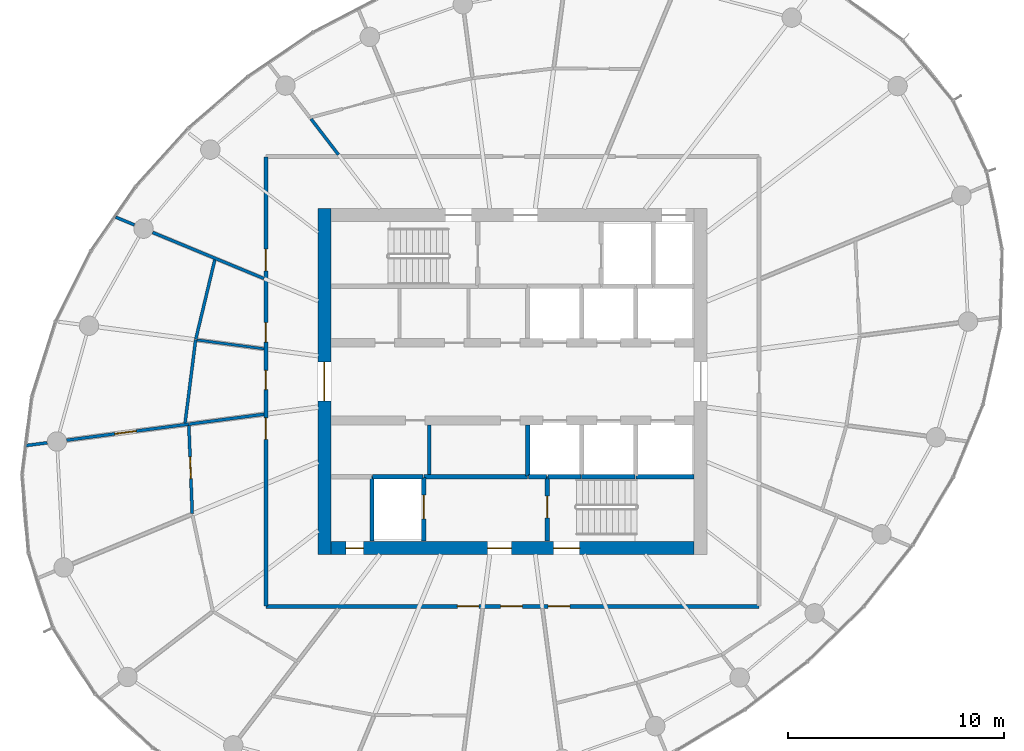
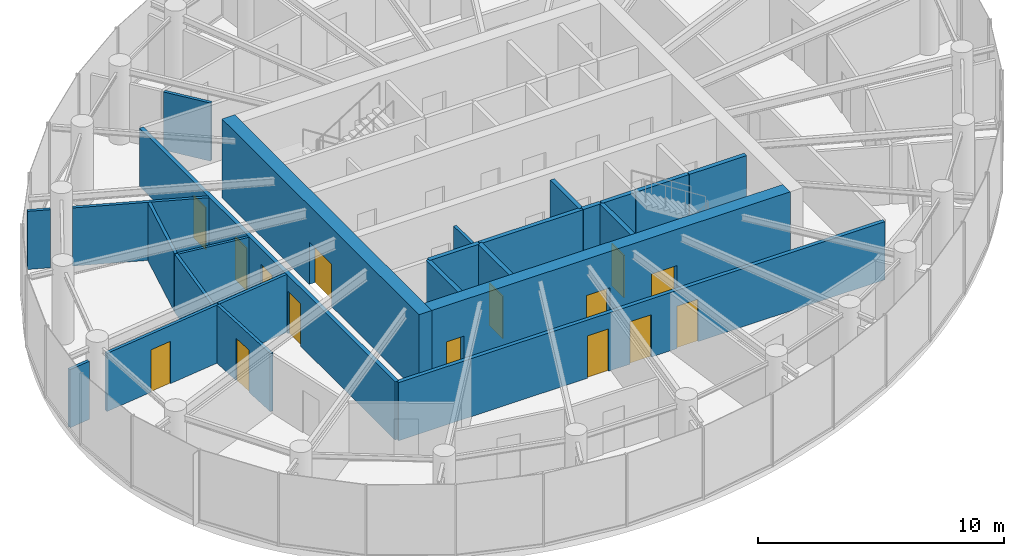
# One storey, part 10 of 15: 25 walls, 15 doors, 15 openings.
"""IFC4 building model written with IfcOpenShell, lengths in metres."""

from ifc_helpers import new_model, si_unit, direction, frame, frame_2d, origin, place, context, subcontext, project, spatial, rectangle, extrude, source, transform, mapped, material, layer, layer_set, type_object, element, fill, save


model = new_model("IFC4")

# Units and contexts
model_context = context("Model", 3, precision=1e-05, world=origin(), true_north=direction((0.0, 1.0)))
body_context = subcontext(model_context, "Body", "Model", "MODEL_VIEW")
ifc_project = project(units=[si_unit("LENGTHUNIT", "METRE"), si_unit("AREAUNIT", "SQUARE_METRE"), si_unit("VOLUMEUNIT", "CUBIC_METRE"), si_unit("PLANEANGLEUNIT", "RADIAN"), si_unit("MASSUNIT", "GRAM", prefix="KILO")], contexts=[model_context])

# Site, building, storey
site_placement = place(None, origin())
site = spatial("IfcSite", under=ifc_project, at=site_placement, CompositionType="ELEMENT")
building_placement = place(site_placement, origin())
building = spatial("IfcBuilding", under=site, at=building_placement, Name="Spindrift Exchange Tower", CompositionType="ELEMENT")
storey_placement = place(building_placement, frame((0.0, 0.0, 195.5)))
storey = spatial("IfcBuildingStorey", under=building, at=storey_placement, Name="L47", CompositionType="ELEMENT", Elevation=195.5)

# Wall, opening, door
ifc_material_1 = material(Name="Concrete 50 MPa", Category="concrete")
ifc_layer_1 = layer(ifc_material_1, 0.60009765625)
ifc_layer_set_1 = layer_set([ifc_layer_1], Name="RC Core Wall 600 Concrete 50 MPa")
wall_type_1 = type_object("IfcWallType", Name="RC Core Wall 600 Concrete 50 MPa", PredefinedType="SHEAR", material=ifc_layer_set_1)
wall_1_placement = place(storey_placement, frame((43.300048828125, 56.0, 0.0), z_axis=(0.0, 0.0, 1.0), x_axis=(0.0, -1.0, 0.0)))
wall_1 = element("IfcWall", 1, at=wall_1_placement, inside=storey, type_object=wall_type_1, Name="Core wall W L47", PredefinedType="SHEAR", context=body_context, shape_type="SweptSolid", body=[
    extrude(rectangle(XDim=16.0, YDim=0.60009765625, at=frame_2d((8.0, 0.0))), origin(), (0.0, 0.0, 1.0), 3.89990234375),
])
opening_1_placement = place(wall_1_placement, frame((7.10009765625, 0.0, 0.0)))
opening_1 = element("IfcOpeningElement", 2, at=opening_1_placement, cuts=wall_1, Name="Opening L47-D1", PredefinedType="OPENING", context=body_context, shape_type="SweptSolid", body=[
    extrude(rectangle(XDim=1.800048828125, YDim=2.10009765625, at=frame_2d((0.89990234375, 1.050048828125))), frame((0.0, 0.31005859375, 0.0), z_axis=(0.0, -1.0, 0.0), x_axis=(1.0, 0.0, 0.0)), (0.0, 0.0, 1.0), 0.6201171875),
])
ifc_material_2 = material(Name="Timber-core fire door", Category="wood")
door_type_1 = type_object("IfcDoorType", Name="DR-LOBBY-1800", OperationType="NOTDEFINED", PredefinedType="DOOR", material=ifc_material_2)
shared_shape_1 = source(origin(), body_context, "Body", "SweptSolid", [
    extrude(rectangle(XDim=1.800048828125, YDim=2.10009765625, at=frame_2d((0.89990234375, 1.050048828125))), frame((0.0, 0.02490234375, 0.0), z_axis=(0.0, -1.0, 0.0), x_axis=(1.0, 0.0, 0.0)), (0.0, 0.0, 1.0), 0.050048828125),
])
door_1_placement = place(opening_1_placement, origin())
door_1 = element("IfcDoor", 3, at=door_1_placement, inside=storey, type_object=door_type_1, Name="L47 Lobby door 1", OperationType="SINGLE_SWING_LEFT", OverallHeight=2.10009765625, OverallWidth=1.800048828125, PredefinedType="DOOR", context=body_context, shape_type="MappedRepresentation", body=[
    mapped(shared_shape_1, transform((0.0, 0.0, 0.0), scale=1.0)),
])
fill(opening_1, door_1)

# Wall, openings, doors
wall_2_placement = place(storey_placement, frame((43.60009765625, 40.300048828125, 0.0), z_axis=(0.0, 0.0, 1.0), x_axis=(1.0, 0.0, 0.0)))
wall_2 = element("IfcWall", 4, at=wall_2_placement, inside=storey, type_object=wall_type_1, Name="Core wall S L47", PredefinedType="SHEAR", context=body_context, shape_type="SweptSolid", body=[
    extrude(rectangle(XDim=16.7998046875, YDim=0.60009765625, at=frame_2d((8.39990234375, 0.0))), origin(), (0.0, 0.0, 1.0), 3.89990234375),
])
opening_2_placement = place(wall_2_placement, frame((10.300048828125, 0.0, 0.0)))
opening_2 = element("IfcOpeningElement", 5, at=opening_2_placement, cuts=wall_2, Name="Opening L47-D15", PredefinedType="OPENING", context=body_context, shape_type="SweptSolid", body=[
    extrude(rectangle(XDim=1.199951171875, YDim=2.10009765625, at=frame_2d((0.60009765625, 1.050048828125))), frame((0.0, 0.31005859375, 0.0), z_axis=(0.0, -1.0, 0.0), x_axis=(1.0, 0.0, 0.0)), (0.0, 0.0, 1.0), 0.6201171875),
])
opening_3_placement = place(wall_2_placement, frame((7.25, 0.0, 0.0)))
opening_3 = element("IfcOpeningElement", 6, at=opening_3_placement, cuts=wall_2, Name="Opening L47-D17", PredefinedType="OPENING", context=body_context, shape_type="SweptSolid", body=[
    extrude(rectangle(XDim=1.10009765625, YDim=2.10009765625, at=frame_2d((0.550048828125, 1.050048828125))), frame((0.0, 0.31005859375, 0.0), z_axis=(0.0, -1.0, 0.0), x_axis=(1.0, 0.0, 0.0)), (0.0, 0.0, 1.0), 0.6201171875),
])
opening_4_placement = place(wall_2_placement, frame((0.699951171875, 0.0, 0.0)))
opening_4 = element("IfcOpeningElement", 7, at=opening_4_placement, cuts=wall_2, Name="Opening L47-D18", PredefinedType="OPENING", context=body_context, shape_type="SweptSolid", body=[
    extrude(rectangle(XDim=0.800048828125, YDim=2.10009765625, at=frame_2d((0.39990234375, 1.050048828125))), frame((0.0, 0.31005859375, 0.0), z_axis=(0.0, -1.0, 0.0), x_axis=(1.0, 0.0, 0.0)), (0.0, 0.0, 1.0), 0.6201171875),
])
ifc_material_3 = material(Name="Steel fire door", Category="steel")
door_type_2 = type_object("IfcDoorType", Name="DR-STAIR-1200", OperationType="NOTDEFINED", PredefinedType="DOOR", material=ifc_material_3)
shared_shape_2 = source(origin(), body_context, "Body", "SweptSolid", [
    extrude(rectangle(XDim=1.199951171875, YDim=2.10009765625, at=frame_2d((0.60009765625, 1.050048828125))), frame((0.0, 0.02490234375, 0.0), z_axis=(0.0, -1.0, 0.0), x_axis=(1.0, 0.0, 0.0)), (0.0, 0.0, 1.0), 0.050048828125),
])
door_2_placement = place(opening_2_placement, origin())
door_2 = element("IfcDoor", 8, at=door_2_placement, inside=storey, type_object=door_type_2, Name="L47 Stair door 15", OperationType="SINGLE_SWING_RIGHT", OverallHeight=2.10009765625, OverallWidth=1.199951171875, PredefinedType="DOOR", context=body_context, shape_type="MappedRepresentation", body=[
    mapped(shared_shape_2, transform((0.0, 0.0, 0.0), scale=1.0)),
])
fill(opening_2, door_2)
door_type_3 = type_object("IfcDoorType", Name="DR-LOBBY-1100", OperationType="NOTDEFINED", PredefinedType="DOOR", material=ifc_material_2)
shared_shape_3 = source(origin(), body_context, "Body", "SweptSolid", [
    extrude(rectangle(XDim=1.10009765625, YDim=2.10009765625, at=frame_2d((0.550048828125, 1.050048828125))), frame((0.0, 0.02490234375, 0.0), z_axis=(0.0, -1.0, 0.0), x_axis=(1.0, 0.0, 0.0)), (0.0, 0.0, 1.0), 0.050048828125),
])
door_3_placement = place(opening_3_placement, origin())
door_3 = element("IfcDoor", 9, at=door_3_placement, inside=storey, type_object=door_type_3, Name="L47 Lobby door 17", OperationType="SINGLE_SWING_RIGHT", OverallHeight=2.10009765625, OverallWidth=1.10009765625, PredefinedType="DOOR", context=body_context, shape_type="MappedRepresentation", body=[
    mapped(shared_shape_3, transform((0.0, 0.0, 0.0), scale=1.0)),
])
fill(opening_3, door_3)
ifc_material_4 = material(Name="Steel access door", Category="steel")
door_type_4 = type_object("IfcDoorType", Name="DR-RISER-800", OperationType="NOTDEFINED", PredefinedType="DOOR", material=ifc_material_4)
shared_shape_4 = source(origin(), body_context, "Body", "SweptSolid", [
    extrude(rectangle(XDim=0.800048828125, YDim=2.10009765625, at=frame_2d((0.39990234375, 1.050048828125))), frame((0.0, 0.02490234375, 0.0), z_axis=(0.0, -1.0, 0.0), x_axis=(1.0, 0.0, 0.0)), (0.0, 0.0, 1.0), 0.050048828125),
])
door_4_placement = place(opening_4_placement, origin())
door_4 = element("IfcDoor", 10, at=door_4_placement, inside=storey, type_object=door_type_4, Name="L47 Riser door 18", OperationType="SINGLE_SWING_LEFT", OverallHeight=2.10009765625, OverallWidth=0.800048828125, PredefinedType="DOOR", context=body_context, shape_type="MappedRepresentation", body=[
    mapped(shared_shape_4, transform((0.0, 0.0, 0.0), scale=1.0)),
])
fill(opening_4, door_4)

ifc_material_5 = material(Name="Fire-rated plasterboard partition", Category="gypsum")
ifc_layer_2 = layer(ifc_material_5, 0.179931640625)
ifc_layer_set_2 = layer_set([ifc_layer_2], Name="W-CORR-180")
wall_type_2 = type_object("IfcWallType", Name="W-CORR-180", PredefinedType="PARTITIONING", material=ifc_layer_set_2)
wall_3_placement = place(storey_placement, frame((63.39990234375, 37.60009765625, 0.0), z_axis=(0.0, 0.0, 1.0), x_axis=(-1.0, 0.0, 0.0)))
wall_3 = element("IfcWall", 11, at=wall_3_placement, inside=storey, type_object=wall_type_2, Name="L47 Partition wall 28", PredefinedType="PARTITIONING", context=body_context, shape_type="SweptSolid", body=[
    extrude(rectangle(XDim=22.7998046875, YDim=0.179931640625, at=frame_2d((11.39990234375, 0.0))), origin(), (0.0, 0.0, 1.0), 2.8798828125),
])
opening_5_placement = place(wall_3_placement, frame((12.949951171875, 0.0, 0.0)))
opening_5 = element("IfcOpeningElement", 12, at=opening_5_placement, cuts=wall_3, Name="Opening L47-D26", PredefinedType="OPENING", context=body_context, shape_type="SweptSolid", body=[
    extrude(rectangle(XDim=1.0, YDim=2.10009765625, at=frame_2d((0.5, 1.050048828125))), frame((0.0, 0.099853515625, 0.0), z_axis=(0.0, -1.0, 0.0), x_axis=(1.0, 0.0, 0.0)), (0.0, 0.0, 1.0), 0.199951171875),
])
opening_6_placement = place(wall_3_placement, frame((10.949951171875, 0.0, 0.0)))
opening_6 = element("IfcOpeningElement", 13, at=opening_6_placement, cuts=wall_3, Name="Opening L47-D29", PredefinedType="OPENING", context=body_context, shape_type="SweptSolid", body=[
    extrude(rectangle(XDim=1.0, YDim=2.10009765625, at=frame_2d((0.5, 1.050048828125))), frame((0.0, 0.099853515625, 0.0), z_axis=(0.0, -1.0, 0.0), x_axis=(1.0, 0.0, 0.0)), (0.0, 0.0, 1.0), 0.199951171875),
])
opening_7_placement = place(wall_3_placement, frame((8.75, 0.0, 0.0)))
opening_7 = element("IfcOpeningElement", 14, at=opening_7_placement, cuts=wall_3, Name="Opening L47-D30", PredefinedType="OPENING", context=body_context, shape_type="SweptSolid", body=[
    extrude(rectangle(XDim=1.0, YDim=2.10009765625, at=frame_2d((0.5, 1.050048828125))), frame((0.0, 0.099853515625, 0.0), z_axis=(0.0, -1.0, 0.0), x_axis=(1.0, 0.0, 0.0)), (0.0, 0.0, 1.0), 0.199951171875),
])
door_type_5 = type_object("IfcDoorType", Name="DR-ROOM-1000", OperationType="NOTDEFINED", PredefinedType="DOOR", material=ifc_material_2)
shared_shape_5 = source(origin(), body_context, "Body", "SweptSolid", [
    extrude(rectangle(XDim=1.0, YDim=2.10009765625, at=frame_2d((0.5, 1.050048828125))), frame((0.0, 0.02490234375, 0.0), z_axis=(0.0, -1.0, 0.0), x_axis=(1.0, 0.0, 0.0)), (0.0, 0.0, 1.0), 0.050048828125),
])
door_5_placement = place(opening_5_placement, origin())
door_5 = element("IfcDoor", 15, at=door_5_placement, inside=storey, type_object=door_type_5, Name="L47 Door 26", OperationType="SINGLE_SWING_LEFT", OverallHeight=2.10009765625, OverallWidth=1.0, PredefinedType="DOOR", context=body_context, shape_type="MappedRepresentation", body=[
    mapped(shared_shape_5, transform((0.0, 0.0, 0.0), scale=1.0)),
])
fill(opening_5, door_5)
door_6_placement = place(opening_6_placement, origin())
door_6 = element("IfcDoor", 16, at=door_6_placement, inside=storey, type_object=door_type_5, Name="L47 Door 29", OperationType="SINGLE_SWING_RIGHT", OverallHeight=2.10009765625, OverallWidth=1.0, PredefinedType="DOOR", context=body_context, shape_type="MappedRepresentation", body=[
    mapped(shared_shape_5, transform((0.0, 0.0, 0.0), scale=1.0)),
])
fill(opening_6, door_6)
door_7_placement = place(opening_7_placement, origin())
door_7 = element("IfcDoor", 17, at=door_7_placement, inside=storey, type_object=door_type_5, Name="L47 Door 30", OperationType="SINGLE_SWING_LEFT", OverallHeight=2.10009765625, OverallWidth=1.0, PredefinedType="DOOR", context=body_context, shape_type="MappedRepresentation", body=[
    mapped(shared_shape_5, transform((0.0, 0.0, 0.0), scale=1.0)),
])
fill(opening_7, door_7)

wall_4_placement = place(storey_placement, frame((40.60009765625, 37.6298828125, 0.0), z_axis=(0.0, 0.0, 1.0), x_axis=(0.0, 1.0, 0.0)))
wall_4 = element("IfcWall", 18, at=wall_4_placement, inside=storey, type_object=wall_type_2, Name="L47 Partition wall 30", PredefinedType="PARTITIONING", context=body_context, shape_type="SweptSolid", body=[
    extrude(rectangle(XDim=20.740234375, YDim=0.179931640625, at=frame_2d((10.3701171875, 0.0))), origin(), (0.0, 0.0, 1.0), 2.8798828125),
])
opening_8_placement = place(wall_4_placement, frame((12.18994140625, 0.0, 0.0)))
opening_8 = element("IfcOpeningElement", 19, at=opening_8_placement, cuts=wall_4, Name="Opening L47-D19", PredefinedType="OPENING", context=body_context, shape_type="SweptSolid", body=[
    extrude(rectangle(XDim=0.89990234375, YDim=2.10009765625, at=frame_2d((0.449951171875, 1.050048828125))), frame((0.0, 0.099853515625, 0.0), z_axis=(0.0, -1.0, 0.0), x_axis=(1.0, 0.0, 0.0)), (0.0, 0.0, 1.0), 0.199951171875),
])
opening_9_placement = place(wall_4_placement, frame((9.989990234375, 0.0, 0.0)))
opening_9 = element("IfcOpeningElement", 20, at=opening_9_placement, cuts=wall_4, Name="Opening L47-D20", PredefinedType="OPENING", context=body_context, shape_type="SweptSolid", body=[
    extrude(rectangle(XDim=0.89990234375, YDim=2.10009765625, at=frame_2d((0.449951171875, 1.050048828125))), frame((0.0, 0.099853515625, 0.0), z_axis=(0.0, -1.0, 0.0), x_axis=(1.0, 0.0, 0.0)), (0.0, 0.0, 1.0), 0.199951171875),
])
opening_10_placement = place(wall_4_placement, frame((7.68994140625, 0.0, 0.0)))
opening_10 = element("IfcOpeningElement", 21, at=opening_10_placement, cuts=wall_4, Name="Opening L47-D21", PredefinedType="OPENING", context=body_context, shape_type="SweptSolid", body=[
    extrude(rectangle(XDim=1.0, YDim=2.10009765625, at=frame_2d((0.5, 1.050048828125))), frame((0.0, 0.099853515625, 0.0), z_axis=(0.0, -1.0, 0.0), x_axis=(1.0, 0.0, 0.0)), (0.0, 0.0, 1.0), 0.199951171875),
])
opening_11_placement = place(wall_4_placement, frame((15.489990234375, 0.0, 0.0)))
opening_11 = element("IfcOpeningElement", 22, at=opening_11_placement, cuts=wall_4, Name="Opening L47-D45", PredefinedType="OPENING", context=body_context, shape_type="SweptSolid", body=[
    extrude(rectangle(XDim=1.0, YDim=2.10009765625, at=frame_2d((0.5, 1.050048828125))), frame((0.0, 0.099853515625, 0.0), z_axis=(0.0, -1.0, 0.0), x_axis=(1.0, 0.0, 0.0)), (0.0, 0.0, 1.0), 0.199951171875),
])
door_8_placement = place(opening_10_placement, origin())
door_8 = element("IfcDoor", 23, at=door_8_placement, inside=storey, type_object=door_type_5, Name="L47 Door 21", OperationType="SINGLE_SWING_RIGHT", OverallHeight=2.10009765625, OverallWidth=1.0, PredefinedType="DOOR", context=body_context, shape_type="MappedRepresentation", body=[
    mapped(shared_shape_5, transform((0.0, 0.0, 0.0), scale=1.0)),
])
fill(opening_10, door_8)
door_9_placement = place(opening_11_placement, origin())
door_9 = element("IfcDoor", 24, at=door_9_placement, inside=storey, type_object=door_type_5, Name="L47 Door 45", OperationType="SINGLE_SWING_RIGHT", OverallHeight=2.10009765625, OverallWidth=1.0, PredefinedType="DOOR", context=body_context, shape_type="MappedRepresentation", body=[
    mapped(shared_shape_5, transform((0.0, 0.0, 0.0), scale=1.0)),
])
fill(opening_11, door_9)
ifc_material_6 = material(Name="Laminate washroom door", Category="wood")
door_type_6 = type_object("IfcDoorType", Name="DR-WC-900", OperationType="NOTDEFINED", PredefinedType="DOOR", material=ifc_material_6)
shared_shape_6 = source(origin(), body_context, "Body", "SweptSolid", [
    extrude(rectangle(XDim=0.89990234375, YDim=2.10009765625, at=frame_2d((0.449951171875, 1.050048828125))), frame((0.0, 0.02490234375, 0.0), z_axis=(0.0, -1.0, 0.0), x_axis=(1.0, 0.0, 0.0)), (0.0, 0.0, 1.0), 0.050048828125),
])
door_10_placement = place(opening_8_placement, origin())
door_10 = element("IfcDoor", 25, at=door_10_placement, inside=storey, type_object=door_type_6, Name="L47 WC door 19", OperationType="SINGLE_SWING_RIGHT", OverallHeight=2.10009765625, OverallWidth=0.89990234375, PredefinedType="DOOR", context=body_context, shape_type="MappedRepresentation", body=[
    mapped(shared_shape_6, transform((0.0, 0.0, 0.0), scale=1.0)),
])
fill(opening_8, door_10)
door_11_placement = place(opening_9_placement, origin())
door_11 = element("IfcDoor", 26, at=door_11_placement, inside=storey, type_object=door_type_6, Name="L47 WC door 20", OperationType="SINGLE_SWING_LEFT", OverallHeight=2.10009765625, OverallWidth=0.89990234375, PredefinedType="DOOR", context=body_context, shape_type="MappedRepresentation", body=[
    mapped(shared_shape_6, transform((0.0, 0.0, 0.0), scale=1.0)),
])
fill(opening_9, door_11)

# Wall, opening, door
ifc_layer_3 = layer(ifc_material_5, 0.139892578125)
ifc_layer_set_3 = layer_set([ifc_layer_3], Name="W-PART-140")
wall_type_3 = type_object("IfcWallType", Name="W-PART-140", PredefinedType="PARTITIONING", material=ifc_layer_set_3)
wall_5_placement = place(storey_placement, frame((31.38818359375, 45.286376953125, 0.0), z_axis=(0.0, 0.0, 1.0), x_axis=(0.991445974971, 0.130517733331, 0.0)))
wall_5 = element("IfcWall", 27, at=wall_5_placement, inside=storey, type_object=wall_type_3, Name="L47 Partition wall 36", PredefinedType="PARTITIONING", context=body_context, shape_type="SweptSolid", body=[
    extrude(rectangle(XDim=5.694091796875, YDim=0.139892578125, at=frame_2d((2.84716796875, 0.0))), origin(), (0.0, 0.0, 1.0), 2.8798828125),
])
opening_12_placement = place(wall_5_placement, frame((2.25, 0.0, 0.0)))
opening_12 = element("IfcOpeningElement", 28, at=opening_12_placement, cuts=wall_5, Name="Opening L47-D25", PredefinedType="OPENING", context=body_context, shape_type="SweptSolid", body=[
    extrude(rectangle(XDim=1.0, YDim=2.10009765625, at=frame_2d((0.5, 1.050048828125))), frame((0.0, 0.079833984375, 0.0), z_axis=(0.0, -1.0, 0.0), x_axis=(1.0, 0.0, 0.0)), (0.0, 0.0, 1.0), 0.159912109375),
])
door_12_placement = place(opening_12_placement, origin())
door_12 = element("IfcDoor", 29, at=door_12_placement, inside=storey, type_object=door_type_5, Name="L47 Door 25", OperationType="SINGLE_SWING_RIGHT", OverallHeight=2.10009765625, OverallWidth=1.0, PredefinedType="DOOR", context=body_context, shape_type="MappedRepresentation", body=[
    mapped(shared_shape_5, transform((0.0, 0.0, 0.0), scale=1.0)),
])
fill(opening_12, door_12)

# Wall
wall_6_placement = place(storey_placement, frame((40.510009765625, 52.75927734375, 0.0), z_axis=(0.0, 0.0, 1.0), x_axis=(-0.9238758778, 0.382692255499, 0.0)))
element("IfcWall", 30, at=wall_6_placement, inside=storey, type_object=wall_type_3, Name="L47 Partition wall 37", PredefinedType="PARTITIONING", context=body_context, shape_type="SweptSolid", body=[
    extrude(rectangle(XDim=5.5732421875, YDim=0.139892578125, at=frame_2d((2.78662109375, 0.0))), origin(), (0.0, 0.0, 1.0), 2.8798828125),
])

# Wall, opening, door
wall_7_placement = place(storey_placement, frame((37.19287109375, 41.897216796875, 0.0), z_axis=(0.0, 0.0, 1.0), x_axis=(-0.038555360956, 0.999256465649, 0.0)))
wall_7 = element("IfcWall", 31, at=wall_7_placement, inside=storey, type_object=wall_type_3, Name="L47 Partition wall 48", PredefinedType="PARTITIONING", context=body_context, shape_type="SweptSolid", body=[
    extrude(rectangle(XDim=4.065185546875, YDim=0.139892578125, at=frame_2d((2.03271484375, 0.0))), origin(), (0.0, 0.0, 1.0), 2.8798828125),
])
opening_13_placement = place(wall_7_placement, frame((1.615234375, 0.0, 0.0)))
opening_13 = element("IfcOpeningElement", 32, at=opening_13_placement, cuts=wall_7, Name="Opening L47-D22", PredefinedType="OPENING", context=body_context, shape_type="SweptSolid", body=[
    extrude(rectangle(XDim=1.0, YDim=2.10009765625, at=frame_2d((0.5, 1.050048828125))), frame((0.0, 0.079833984375, 0.0), z_axis=(0.0, -1.0, 0.0), x_axis=(1.0, 0.0, 0.0)), (0.0, 0.0, 1.0), 0.159912109375),
])
door_13_placement = place(opening_13_placement, origin())
door_13 = element("IfcDoor", 33, at=door_13_placement, inside=storey, type_object=door_type_5, Name="L47 Door 22", OperationType="SINGLE_SWING_LEFT", OverallHeight=2.10009765625, OverallWidth=1.0, PredefinedType="DOOR", context=body_context, shape_type="MappedRepresentation", body=[
    mapped(shared_shape_5, transform((0.0, 0.0, 0.0), scale=1.0)),
])
fill(opening_13, door_13)

# Walls
wall_8_placement = place(storey_placement, frame((37.35009765625, 49.9287109375, 0.0), z_axis=(0.0, 0.0, 1.0), x_axis=(-0.125845801859, -0.992049814351, 0.0)))
element("IfcWall", 34, at=wall_8_placement, inside=storey, type_object=wall_type_3, Name="L47 Partition wall 53", PredefinedType="PARTITIONING", context=body_context, shape_type="SweptSolid", body=[
    extrude(rectangle(XDim=3.8818359375, YDim=0.139892578125, at=frame_2d((1.94091796875, 0.0))), origin(), (0.0, 0.0, 1.0), 2.8798828125),
])
wall_9_placement = place(storey_placement, frame((38.23486328125, 53.6259765625, 0.0), z_axis=(0.0, 0.0, 1.0), x_axis=(-0.232775534837, -0.97253048815, 0.0)))
element("IfcWall", 35, at=wall_9_placement, inside=storey, type_object=wall_type_3, Name="L47 Partition wall 57", PredefinedType="PARTITIONING", context=body_context, shape_type="SweptSolid", body=[
    extrude(rectangle(XDim=3.771484375, YDim=0.139892578125, at=frame_2d((1.8857421875, 0.0))), origin(), (0.0, 0.0, 1.0), 2.8798828125),
])
wall_10_placement = place(storey_placement, frame((40.510009765625, 46.4873046875, 0.0), z_axis=(0.0, 0.0, 1.0), x_axis=(-0.991441861772, -0.130548974432, 0.0)))
element("IfcWall", 36, at=wall_10_placement, inside=storey, type_object=wall_type_3, Name="L47 Partition wall 61", PredefinedType="PARTITIONING", context=body_context, shape_type="SweptSolid", body=[
    extrude(rectangle(XDim=3.4765625, YDim=0.139892578125, at=frame_2d((1.73828125, 0.0))), origin(), (0.0, 0.0, 1.0), 2.8798828125),
])
wall_11_placement = place(storey_placement, frame((48.14990234375, 43.699951171875, 0.0), z_axis=(0.0, 0.0, 1.0), x_axis=(0.0, 1.0, 0.0)))
element("IfcWall", 37, at=wall_11_placement, inside=storey, type_object=wall_type_3, Name="L47 Partition wall 70", PredefinedType="PARTITIONING", context=body_context, shape_type="SweptSolid", body=[
    extrude(rectangle(XDim=2.2900390625, YDim=0.139892578125, at=frame_2d((1.14501953125, 0.0))), origin(), (0.0, 0.0, 1.0), 2.8798828125),
])
wall_12_placement = place(storey_placement, frame((43.95068359375, 58.489990234375, 0.0), z_axis=(0.0, 0.0, 1.0), x_axis=(-0.60869315722, 0.793405722411, 0.0)))
element("IfcWall", 38, at=wall_12_placement, inside=storey, type_object=wall_type_3, Name="L47 Partition wall 72", PredefinedType="PARTITIONING", context=body_context, shape_type="SweptSolid", body=[
    extrude(rectangle(XDim=2.076416015625, YDim=0.139892578125, at=frame_2d((1.0380859375, 0.0))), origin(), (0.0, 0.0, 1.0), 2.8798828125),
])
wall_13_placement = place(storey_placement, frame((30.487060546875, 45.167724609375, 0.0), z_axis=(0.0, 0.0, 1.0), x_axis=(-0.991439080575, -0.130570094237, 0.0)))
element("IfcWall", 39, at=wall_13_placement, inside=storey, type_object=wall_type_3, Name="L47 Partition wall 86", PredefinedType="PARTITIONING", context=body_context, shape_type="SweptSolid", body=[
    extrude(rectangle(XDim=0.9833984375, YDim=0.139892578125, at=frame_2d((0.49169921875, 0.0))), origin(), (0.0, 0.0, 1.0), 2.8798828125),
])
wall_14_placement = place(storey_placement, frame((34.520263671875, 55.240478515625, 0.0), z_axis=(0.0, 0.0, 1.0), x_axis=(-0.923934603914, 0.382550451171, 0.0)))
element("IfcWall", 40, at=wall_14_placement, inside=storey, type_object=wall_type_3, Name="L47 Partition wall 88", PredefinedType="PARTITIONING", context=body_context, shape_type="SweptSolid", body=[
    extrude(rectangle(XDim=0.940673828125, YDim=0.139892578125, at=frame_2d((0.47021484375, 0.0))), origin(), (0.0, 0.0, 1.0), 2.8798828125),
])
ifc_material_7 = material(Name="Concrete 40 MPa", Category="concrete")
ifc_layer_4 = layer(ifc_material_7, 0.199951171875)
ifc_layer_set_4 = layer_set([ifc_layer_4], Name="W-SHAFT-200")
wall_type_4 = type_object("IfcWallType", Name="W-SHAFT-200", PredefinedType="SOLIDWALL", material=ifc_layer_set_4)
wall_15_placement = place(storey_placement, frame((52.699951171875, 43.60009765625, 0.0), z_axis=(0.0, 0.0, 1.0), x_axis=(-1.0, 0.0, 0.0)))
element("IfcWall", 41, at=wall_15_placement, inside=storey, type_object=wall_type_4, Name="L47 Shaft wall 2", PredefinedType="SOLIDWALL", context=body_context, shape_type="SweptSolid", body=[
    extrude(rectangle(XDim=4.800048828125, YDim=0.199951171875, at=frame_2d((2.39990234375, 0.0))), origin(), (0.0, 0.0, 1.0), 3.580078125),
])
wall_16_placement = place(storey_placement, frame((45.5, 43.60009765625, 0.0), z_axis=(0.0, 0.0, 1.0), x_axis=(0.0, -1.0, 0.0)))
element("IfcWall", 42, at=wall_16_placement, inside=storey, type_object=wall_type_4, Name="L47 Shaft wall 3", PredefinedType="SOLIDWALL", context=body_context, shape_type="SweptSolid", body=[
    extrude(rectangle(XDim=2.97998046875, YDim=0.199951171875, at=frame_2d((1.489990234375, 0.0))), origin(), (0.0, 0.0, 1.0), 3.580078125),
])

# Wall, opening, door
wall_17_placement = place(storey_placement, frame((47.89990234375, 40.6201171875, 0.0), z_axis=(0.0, 0.0, 1.0), x_axis=(0.0, 1.0, 0.0)))
wall_17 = element("IfcWall", 43, at=wall_17_placement, inside=storey, type_object=wall_type_4, Name="L47 Shaft wall 4", PredefinedType="SOLIDWALL", context=body_context, shape_type="SweptSolid", body=[
    extrude(rectangle(XDim=2.949951171875, YDim=0.199951171875, at=frame_2d((1.47509765625, 0.0))), origin(), (0.0, 0.0, 1.0), 3.580078125),
])
opening_14_placement = place(wall_17_placement, frame((1.030029296875, 0.0, 0.0)))
opening_14 = element("IfcOpeningElement", 44, at=opening_14_placement, cuts=wall_17, Name="Opening L47-D10", PredefinedType="OPENING", context=body_context, shape_type="SweptSolid", body=[
    extrude(rectangle(XDim=1.10009765625, YDim=2.10009765625, at=frame_2d((0.550048828125, 1.050048828125))), frame((0.0, 0.10986328125, 0.0), z_axis=(0.0, -1.0, 0.0), x_axis=(1.0, 0.0, 0.0)), (0.0, 0.0, 1.0), 0.219970703125),
])
ifc_material_8 = material(Name="Stainless steel landing door", Category="steel")
door_type_7 = type_object("IfcDoorType", Name="DR-LANDING-1100-SL", OperationType="DOUBLE_DOOR_SLIDING", PredefinedType="USERDEFINED", material=ifc_material_8)
shared_shape_7 = source(origin(), body_context, "Body", "SweptSolid", [
    extrude(rectangle(XDim=1.10009765625, YDim=2.10009765625, at=frame_2d((0.550048828125, 1.050048828125))), frame((0.0, 0.02490234375, 0.0), z_axis=(0.0, -1.0, 0.0), x_axis=(1.0, 0.0, 0.0)), (0.0, 0.0, 1.0), 0.050048828125),
])
door_14_placement = place(opening_14_placement, origin())
door_14 = element("IfcDoor", 45, at=door_14_placement, inside=storey, type_object=door_type_7, Name="L47 Lift landing door 10", ObjectType="LANDING DOOR", OperationType="DOUBLE_DOOR_SLIDING", OverallHeight=2.10009765625, OverallWidth=1.10009765625, PredefinedType="USERDEFINED", context=body_context, shape_type="MappedRepresentation", body=[
    mapped(shared_shape_7, transform((0.0, 0.0, 0.0), scale=1.0)),
])
fill(opening_14, door_14)

# Walls
wall_18_placement = place(storey_placement, frame((47.8701171875, 43.60009765625, 0.0), z_axis=(0.0, 0.0, 1.0), x_axis=(-1.0, 0.0, 0.0)))
element("IfcWall", 46, at=wall_18_placement, inside=storey, type_object=wall_type_4, Name="L47 Shaft wall 12", PredefinedType="SOLIDWALL", context=body_context, shape_type="SweptSolid", body=[
    extrude(rectangle(XDim=2.340087890625, YDim=0.199951171875, at=frame_2d((1.169921875, 0.0))), origin(), (0.0, 0.0, 1.0), 3.580078125),
])
wall_19_placement = place(storey_placement, frame((52.699951171875, 45.989990234375, 0.0), z_axis=(0.0, 0.0, 1.0), x_axis=(0.0, -1.0, 0.0)))
element("IfcWall", 47, at=wall_19_placement, inside=storey, type_object=wall_type_4, Name="L47 Shaft wall 13", PredefinedType="SOLIDWALL", context=body_context, shape_type="SweptSolid", body=[
    extrude(rectangle(XDim=2.360107421875, YDim=0.199951171875, at=frame_2d((1.18017578125, 0.0))), origin(), (0.0, 0.0, 1.0), 3.580078125),
])

# Wall, opening, door
ifc_layer_5 = layer(ifc_material_7, 0.199951171875)
ifc_layer_set_5 = layer_set([ifc_layer_5], Name="W-SHAFT-200-LB")
wall_type_5 = type_object("IfcWallType", Name="W-SHAFT-200-LB", PredefinedType="SOLIDWALL", material=ifc_layer_set_5)
wall_20_placement = place(storey_placement, frame((53.60009765625, 43.60009765625, 0.0), z_axis=(0.0, 0.0, 1.0), x_axis=(0.0, -1.0, 0.0)))
wall_20 = element("IfcWall", 48, at=wall_20_placement, inside=storey, type_object=wall_type_5, Name="L47 Shaft wall 6", PredefinedType="SOLIDWALL", context=body_context, shape_type="SweptSolid", body=[
    extrude(rectangle(XDim=2.97998046875, YDim=0.199951171875, at=frame_2d((1.489990234375, 0.0))), origin(), (0.0, 0.0, 1.0), 3.580078125),
])
opening_15_placement = place(wall_20_placement, frame((0.89990234375, 0.0, 0.0)))
opening_15 = element("IfcOpeningElement", 49, at=opening_15_placement, cuts=wall_20, Name="Opening L47-D16", PredefinedType="OPENING", context=body_context, shape_type="SweptSolid", body=[
    extrude(rectangle(XDim=1.0, YDim=2.10009765625, at=frame_2d((0.5, 1.050048828125))), frame((0.0, 0.10986328125, 0.0), z_axis=(0.0, -1.0, 0.0), x_axis=(1.0, 0.0, 0.0)), (0.0, 0.0, 1.0), 0.219970703125),
])
door_type_8 = type_object("IfcDoorType", Name="DR-STAIR-1000", OperationType="NOTDEFINED", PredefinedType="DOOR", material=ifc_material_3)
shared_shape_8 = source(origin(), body_context, "Body", "SweptSolid", [
    extrude(rectangle(XDim=1.0, YDim=2.10009765625, at=frame_2d((0.5, 1.050048828125))), frame((0.0, 0.02490234375, 0.0), z_axis=(0.0, -1.0, 0.0), x_axis=(1.0, 0.0, 0.0)), (0.0, 0.0, 1.0), 0.050048828125),
])
door_15_placement = place(opening_15_placement, origin())
door_15 = element("IfcDoor", 50, at=door_15_placement, inside=storey, type_object=door_type_8, Name="L47 Stair door 16", OperationType="SINGLE_SWING_LEFT", OverallHeight=2.10009765625, OverallWidth=1.0, PredefinedType="DOOR", context=body_context, shape_type="MappedRepresentation", body=[
    mapped(shared_shape_8, transform((0.0, 0.0, 0.0), scale=1.0)),
])
fill(opening_15, door_15)

# Walls
wall_21_placement = place(storey_placement, frame((57.699951171875, 43.60009765625, 0.0), z_axis=(0.0, 0.0, 1.0), x_axis=(1.0, 0.0, 0.0)))
element("IfcWall", 51, at=wall_21_placement, inside=storey, type_object=wall_type_5, Name="L47 Shaft wall 9", PredefinedType="SOLIDWALL", context=body_context, shape_type="SweptSolid", body=[
    extrude(rectangle(XDim=2.679931640625, YDim=0.199951171875, at=frame_2d((1.33984375, 0.0))), origin(), (0.0, 0.0, 1.0), 3.580078125),
])
wall_22_placement = place(storey_placement, frame((55.199951171875, 43.60009765625, 0.0), z_axis=(0.0, 0.0, 1.0), x_axis=(1.0, 0.0, 0.0)))
element("IfcWall", 52, at=wall_22_placement, inside=storey, type_object=wall_type_5, Name="L47 Shaft wall 11", PredefinedType="SOLIDWALL", context=body_context, shape_type="SweptSolid", body=[
    extrude(rectangle(XDim=2.469970703125, YDim=0.199951171875, at=frame_2d((1.23486328125, 0.0))), origin(), (0.0, 0.0, 1.0), 3.580078125),
])
wall_23_placement = place(storey_placement, frame((53.6298828125, 43.60009765625, 0.0), z_axis=(0.0, 0.0, 1.0), x_axis=(1.0, 0.0, 0.0)))
element("IfcWall", 53, at=wall_23_placement, inside=storey, type_object=wall_type_5, Name="L47 Shaft wall 22", PredefinedType="SOLIDWALL", context=body_context, shape_type="SweptSolid", body=[
    extrude(rectangle(XDim=1.5400390625, YDim=0.199951171875, at=frame_2d((0.77001953125, 0.0))), origin(), (0.0, 0.0, 1.0), 3.580078125),
])
wall_24_placement = place(storey_placement, frame((52.72998046875, 43.60009765625, 0.0), z_axis=(0.0, 0.0, 1.0), x_axis=(1.0, 0.0, 0.0)))
element("IfcWall", 54, at=wall_24_placement, inside=storey, type_object=wall_type_5, Name="L47 Shaft wall 24", PredefinedType="SOLIDWALL", context=body_context, shape_type="SweptSolid", body=[
    extrude(rectangle(XDim=0.840087890625, YDim=0.199951171875, at=frame_2d((0.419921875, 0.0))), origin(), (0.0, 0.0, 1.0), 3.580078125),
])
ifc_layer_6 = layer(ifc_material_5, 0.1201171875)
ifc_layer_set_6 = layer_set([ifc_layer_6], Name="W-WET-120")
wall_type_6 = type_object("IfcWallType", Name="W-WET-120", PredefinedType="PARTITIONING", material=ifc_layer_set_6)
wall_25_placement = place(storey_placement, frame((40.510009765625, 49.5126953125, 0.0), z_axis=(0.0, 0.0, 1.0), x_axis=(-0.991440694955, 0.130557835413, 0.0)))
element("IfcWall", 55, at=wall_25_placement, inside=storey, type_object=wall_type_6, Name="L47 Partition wall 98", PredefinedType="PARTITIONING", context=body_context, shape_type="SweptSolid", body=[
    extrude(rectangle(XDim=3.1171875, YDim=0.1201171875, at=frame_2d((1.55859375, 0.0))), origin(), (0.0, 0.0, 1.0), 2.8798828125),
])

save(model, "model.ifc")
